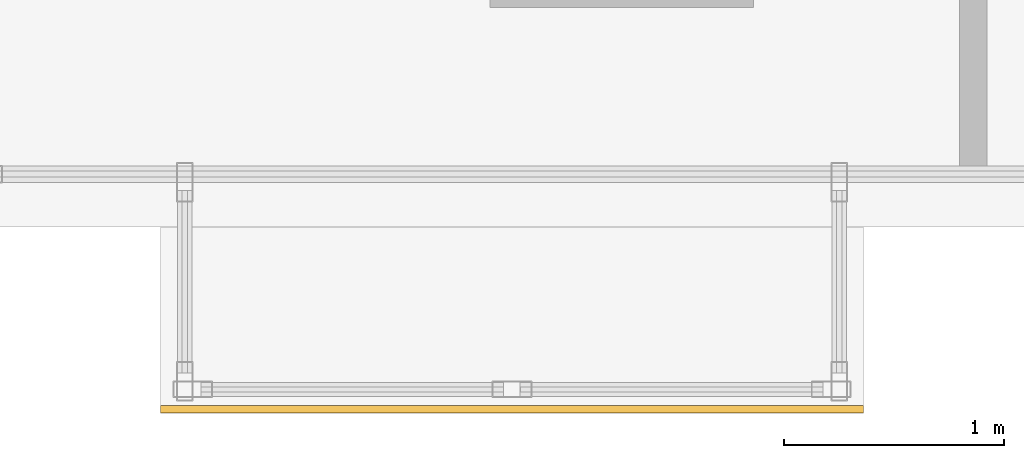
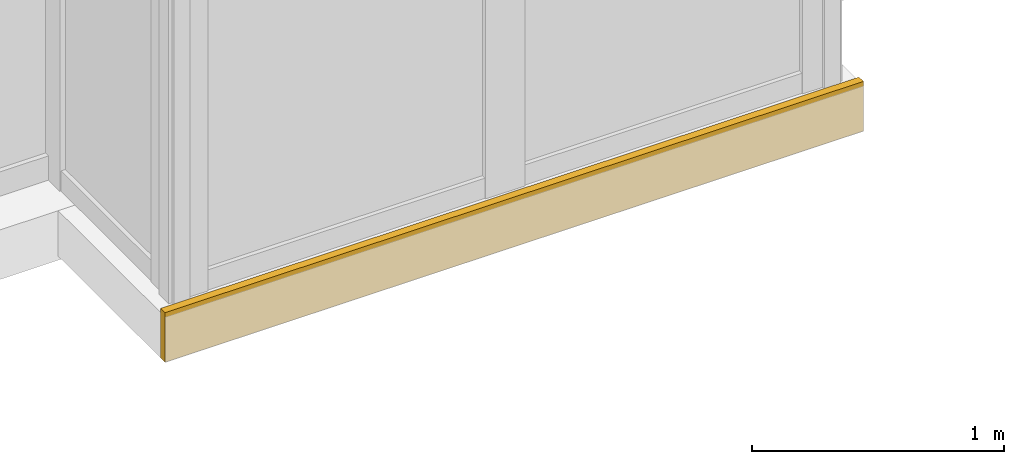
# One storey, part 26 of 27: 1 covering.
"""IFC4 building model written with IfcOpenShell, lengths in metres."""

from ifc_helpers import new_model, si_unit, direction, frame, origin, origin_2d, place, context, subcontext, project, spatial, rectangle, extrude, material, layer, layer_set, type_object, element, save


model = new_model("IFC4")

# Units and contexts
model_context = context("Model", 3, precision=1e-05, world=origin(), true_north=direction((0.0, 1.0)))
body_context = subcontext(model_context, "Body", "Model", "MODEL_VIEW")
ifc_project = project(units=[si_unit("LENGTHUNIT", "METRE"), si_unit("AREAUNIT", "SQUARE_METRE"), si_unit("VOLUMEUNIT", "CUBIC_METRE"), si_unit("PLANEANGLEUNIT", "RADIAN"), si_unit("MASSUNIT", "GRAM", prefix="KILO")], contexts=[model_context])

# Site, building, storey
site_placement = place(None, origin())
site = spatial("IfcSite", under=ifc_project, at=site_placement, CompositionType="ELEMENT")
building_placement = place(site_placement, origin())
building = spatial("IfcBuilding", under=site, at=building_placement, Name="Kolvaren Waterfront Exchange", CompositionType="ELEMENT")
storey_placement = place(building_placement, frame((0.0, 0.0, 176.60009765625)))
storey = spatial("IfcBuildingStorey", under=building, at=storey_placement, Name="L45", CompositionType="ELEMENT", Elevation=176.60009765625)

# Covering
ifc_material = material(Name="Anodised bronze fascia aluminium", Category="aluminium")
ifc_layer = layer(ifc_material, 0.034912109375, Name="Anodised bronze fascia aluminium")
ifc_layer_set = layer_set([ifc_layer], Name="Anodised bronze fascia aluminium")
covering_type = type_object("IfcCoveringType", Name="ARC-CLAD-BRONZE-35", PredefinedType="CLADDING", material=ifc_layer_set)
covering_placement = place(storey_placement, frame((36.300048828125, 2.77001953125, -0.22021484375), z_axis=(0.0, 0.0, 1.0), x_axis=(1.0, 0.0, 0.0)))
element("IfcCovering", 1, at=covering_placement, inside=storey, type_object=covering_type, Name="L45 ribbed anodised bronze bay-box fascia", PredefinedType="CLADDING", context=body_context, shape_type="SweptSolid", body=[
    extrude(rectangle(XDim=3.199951171875, YDim=0.034912109375, at=origin_2d()), origin(), (0.0, 0.0, 1.0), 0.239990234375),
])

save(model, "model.ifc")
